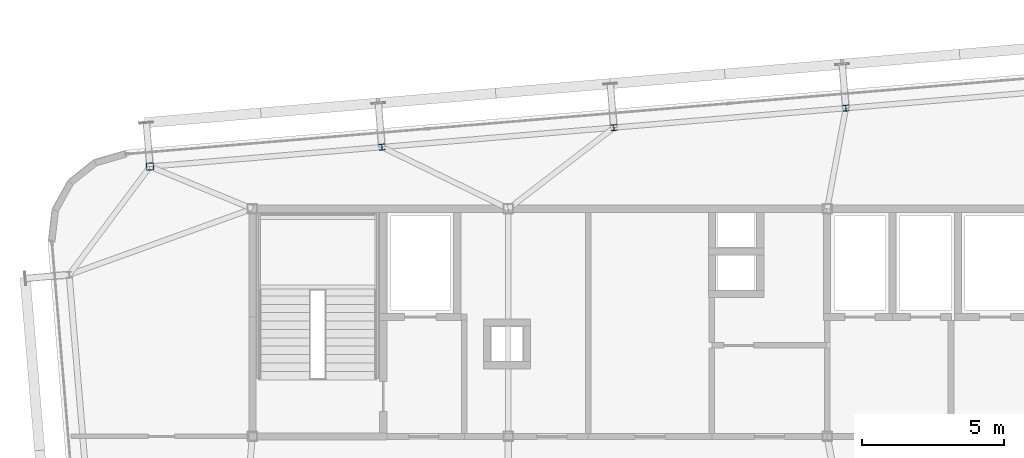
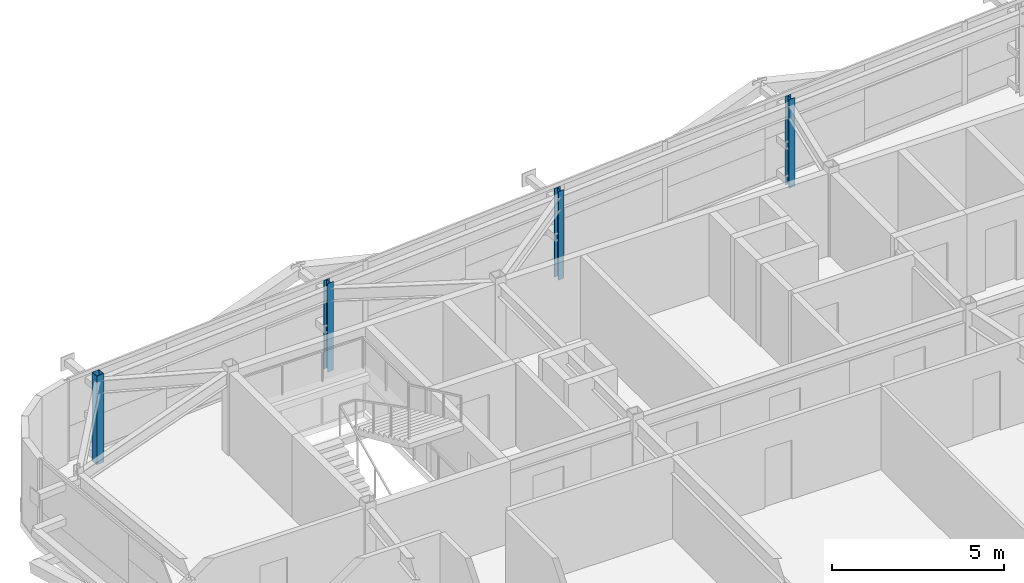
# One storey, part 5 of 37: 4 columns.
"""IFC4 building model written with IfcOpenShell, lengths in metres."""

from ifc_helpers import new_model, si_unit, direction, frame, origin, origin_2d, place, context, subcontext, project, spatial, hollow_rectangle, i_section, extrude, source, transform, mapped, material, material_profile, profile_set, type_object, element, save


model = new_model("IFC4")

# Units and contexts
model_context = context("Model", 3, precision=1e-05, world=origin(), true_north=direction((0.0, 1.0)))
body_context = subcontext(model_context, "Body", "Model", "MODEL_VIEW")
ifc_project = project(units=[si_unit("LENGTHUNIT", "METRE"), si_unit("AREAUNIT", "SQUARE_METRE"), si_unit("VOLUMEUNIT", "CUBIC_METRE"), si_unit("PLANEANGLEUNIT", "RADIAN"), si_unit("MASSUNIT", "GRAM", prefix="KILO")], contexts=[model_context])

# Site, building, storey
site_placement = place(None, origin())
site = spatial("IfcSite", under=ifc_project, at=site_placement, CompositionType="ELEMENT")
building_placement = place(site_placement, origin())
building = spatial("IfcBuilding", under=site, at=building_placement, Name="Taldren Reach Tower", CompositionType="ELEMENT")
storey_placement = place(building_placement, frame((0.0, 0.0, 172.550048828125)))
storey = spatial("IfcBuildingStorey", under=building, at=storey_placement, Name="L52", CompositionType="ELEMENT", Elevation=172.550048828125)

# Columns
ifc_material_1 = material(Name="Steel Gr 350 (C350L0)", Category="steel")
ifc_material_profile_1 = material_profile(ifc_material_1, hollow_rectangle(XDim=0.25, YDim=0.25, WallThickness=0.010009765625, at=origin_2d()), Name="250x250x10.0SHS")
ifc_profile_set_1 = profile_set([ifc_material_profile_1], Name="Steel Gr 350 (C350L0)")
column_type_1 = type_object("IfcColumnType", Name="COL-SHS250", PredefinedType="COLUMN", material=ifc_profile_set_1)
shared_shape_1 = source(origin(), body_context, "Body", "SweptSolid", [
    extrude(hollow_rectangle(XDim=0.25, YDim=0.25, WallThickness=0.010009765625, at=origin_2d()), origin(), (0.0, 0.0, 1.0), 3.14990234375),
])
column_placement = place(storey_placement, frame((15.40380859375, 33.483642578125, 0.0), z_axis=(0.0, 0.0, 1.0), x_axis=(0.99649285925, 0.083677843332, 0.0)))
element("IfcColumn", 1, at=column_placement, inside=storey, type_object=column_type_1, Name="Block B4 perimeter column N1 L52", PredefinedType="COLUMN", context=body_context, shape_type="MappedRepresentation", body=[
    mapped(shared_shape_1, transform((0.0, 0.0, 0.0), scale=1.0)),
])
ifc_material_2 = material(Name="Steel Gr 350 (350PLUS)", Category="steel")
ifc_material_profile_2 = material_profile(ifc_material_2, i_section(OverallWidth=0.205078125, OverallDepth=0.2099609375, WebThickness=0.00927734375, FlangeThickness=0.01416015625, at=origin_2d()), Name="200UC59.5")
ifc_profile_set_2 = profile_set([ifc_material_profile_2], Name="Steel Gr 350 (350PLUS)")
column_type_2 = type_object("IfcColumnType", Name="COL-UC200", PredefinedType="COLUMN", material=ifc_profile_set_2)
shared_shape_2 = source(origin(), body_context, "Body", "SweptSolid", [
    extrude(i_section(OverallWidth=0.205078125, OverallDepth=0.2099609375, WebThickness=0.00927734375, FlangeThickness=0.01416015625, at=origin_2d()), origin(), (0.0, 0.0, 1.0), 3.14990234375),
])
for number, where, z_axis, x_axis, name in (
    (2, (23.55517578125, 34.16796875, 0.0), (0.0, 0.0, 1.0), (0.99649285925, 0.083677843332, 0.0), "Block B4 perimeter column N2 L52"),
    (3, (31.706298828125, 34.8525390625, 0.0), (0.0, 0.0, 1.0), (0.99649285925, 0.083677843332, 0.0), "Block B4 perimeter column N3 L52"),
    (4, (39.857666015625, 35.537109375, 0.0), (0.0, 0.0, 1.0), (0.99649285925, 0.083677843332, 0.0), "Block B4 perimeter column N4 L52"),
):
    element("IfcColumn", number, at=place(storey_placement, frame(where, z_axis=z_axis, x_axis=x_axis)), inside=storey, type_object=column_type_2, Name=name, PredefinedType="COLUMN", context=body_context, shape_type="MappedRepresentation", body=[
        mapped(shared_shape_2, transform((0.0, 0.0, 0.0), scale=1.0)),
    ])

save(model, "model.ifc")
